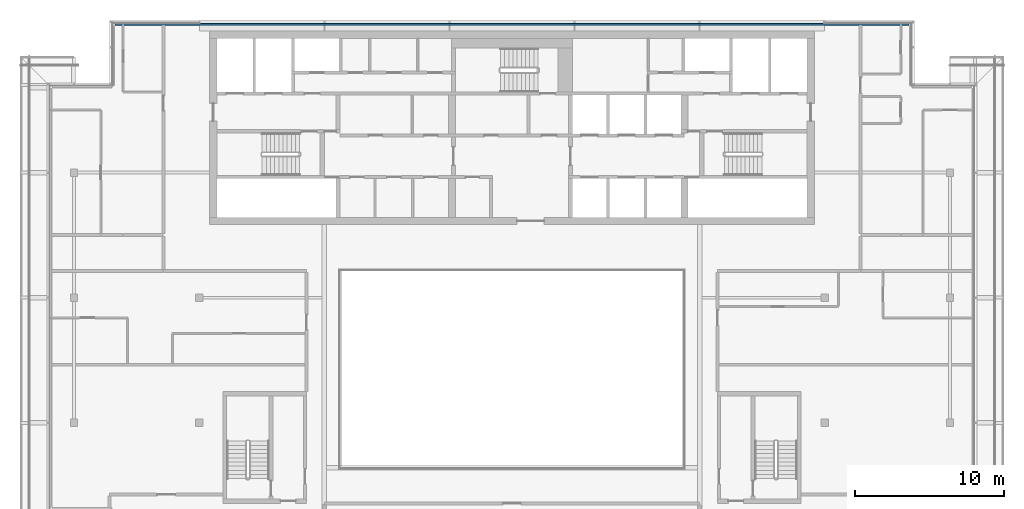
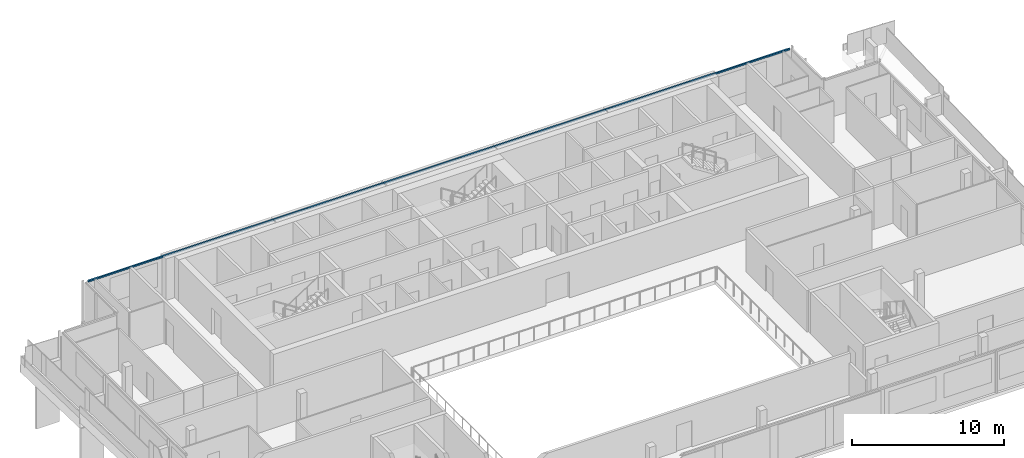
# One storey, part 7 of 19: 1 member, 1 element without a shape of its own.
"""IFC4 building model written with IfcOpenShell, lengths in metres."""

import ifcopenshell
import ifcopenshell.guid

model = None  # the IFC model being written
_history = None  # IfcOwnerHistory: only IFC2X3 demands one
_inside = {}  # id of a spatial element -> (the spatial element, [elements in it])
_under = {}  # id of a project, library or spatial element -> (it, [spatial elements below it])
_declared = {}  # id of a project -> (the project, [libraries it declares])
_typed = {}  # id of a type object -> (the type object, [elements of that type])
_made_of = {}  # id of a material, layer set ... -> (it, [elements and type objects made of it])


def new_model(schema):
    """Start an empty IFC model of exactly this schema.

    Asked for "IFC4X3", IfcOpenShell would pick the latest addendum, in which some entities
    have other attributes; the version numbers below select the first issue.
    IFC2X3 requires an IfcOwnerHistory on every rooted entity: one is made here for all.
    """
    global model, _history
    if schema == "IFC4X3":
        model = ifcopenshell.file(schema_version=(4, 3, 0, 0))
    else:
        model = ifcopenshell.file(schema=schema)
    _inside.clear()
    _under.clear()
    _declared.clear()
    _typed.clear()
    _made_of.clear()
    _history = None
    if model.schema == "IFC2X3":
        org = make("IfcOrganization", Name="unknown")
        user = make(
            "IfcPersonAndOrganization",
            ThePerson=make("IfcPerson", FamilyName="unknown"),
            TheOrganization=org,
        )
        app = make(
            "IfcApplication",
            ApplicationDeveloper=org,
            Version="unknown",
            ApplicationFullName="unknown",
            ApplicationIdentifier="unknown",
        )
        _history = make(
            "IfcOwnerHistory",
            OwningUser=user,
            OwningApplication=app,
            ChangeAction="ADDED",
            CreationDate=0,
        )
    return model


def make(cls, **values):
    """One entity of the class cls with the attributes given. An attribute that is None is left unset."""
    return model.create_entity(
        cls, **{name: value for name, value in values.items() if value is not None}
    )


def rooted(cls, **values):
    """An entity with a GlobalId (a new one), such as an element, a storey or a relation."""
    return make(cls, GlobalId=ifcopenshell.guid.new(), OwnerHistory=_history, **values)


def si_unit(unit_type, name, prefix=None):
    """IfcSIUnit, for example si_unit("LENGTHUNIT", "METRE", prefix="MILLI")."""
    return make("IfcSIUnit", UnitType=unit_type, Prefix=prefix, Name=name)


def assignment(units):
    """IfcUnitAssignment: the units of a project."""
    return None if units is None else make("IfcUnitAssignment", Units=units)


def point(xyz):
    """IfcCartesianPoint."""
    return None if xyz is None else make("IfcCartesianPoint", Coordinates=xyz)


def direction(xyz):
    """IfcDirection."""
    return None if xyz is None else make("IfcDirection", DirectionRatios=xyz)


def frame(location, z_axis=None, x_axis=None):
    """IfcAxis2Placement3D, a coordinate frame: its origin and axes. An axis left out is left unset."""
    return make(
        "IfcAxis2Placement3D",
        Location=point(location),
        Axis=direction(z_axis),
        RefDirection=direction(x_axis),
    )


def frame_2d(location, x_axis=None):
    """IfcAxis2Placement2D, a coordinate frame in the plane: its origin and x axis."""
    return make(
        "IfcAxis2Placement2D", Location=point(location), RefDirection=direction(x_axis)
    )


def origin():
    """The frame at (0, 0, 0) with its axes left unset."""
    return frame((0.0, 0.0, 0.0))


def origin_2d():
    """The frame at (0, 0) in the plane with its x axis left unset."""
    return frame_2d((0.0, 0.0))


def place(relative_to, where):
    """IfcLocalPlacement: puts the frame where relative to a parent placement (None: the world)."""
    return make(
        "IfcLocalPlacement", PlacementRelTo=relative_to, RelativePlacement=where
    )


def context(
    kind, dimensions, precision=None, world=None, true_north=None, identifier=None
):
    """IfcGeometricRepresentationContext, for example the 3D "Model" context."""
    return make(
        "IfcGeometricRepresentationContext",
        ContextIdentifier=identifier,
        ContextType=kind,
        CoordinateSpaceDimension=dimensions,
        Precision=precision,
        WorldCoordinateSystem=world,
        TrueNorth=true_north,
    )


def subcontext(parent, identifier, kind, view, scale=None):
    """IfcGeometricRepresentationSubContext, for example "Body" below "Model"."""
    return make(
        "IfcGeometricRepresentationSubContext",
        ContextIdentifier=identifier,
        ContextType=kind,
        ParentContext=parent,
        TargetScale=scale,
        TargetView=view,
    )


def project(units=None, contexts=None):
    """IfcProject with its units and contexts."""
    return rooted(
        "IfcProject",
        Name="project",
        RepresentationContexts=contexts,
        UnitsInContext=assignment(units),
    )


def spatial(cls, under=None, at=None, **own):
    """A site, building, storey or space (cls), placed at a placement, below another one or the project."""
    s = rooted(cls, ObjectPlacement=at, **own)
    if under is not None:
        _under.setdefault(under.id(), (under, []))[1].append(s)
    return s


def profile(cls, at=None, kind="AREA", **sizes):
    """A parametric profile (cls). Its sizes go by their IFC names, for example OverallWidth=200.0."""
    return make(cls, ProfileType=kind, Position=at, **sizes)


def rectangle(**sizes):
    """IfcRectangleProfileDef."""
    return profile("IfcRectangleProfileDef", **sizes)


def extrude(swept, where, along, depth):
    """IfcExtrudedAreaSolid: the profile swept, set in the frame where, extruded along a direction by depth."""
    return make(
        "IfcExtrudedAreaSolid",
        SweptArea=swept,
        Position=where,
        ExtrudedDirection=direction(along),
        Depth=depth,
    )


def shape(context_of_items, identifier, shape_type, items):
    """IfcShapeRepresentation: the items that make up one representation, for example the "Body"."""
    return make(
        "IfcShapeRepresentation",
        ContextOfItems=context_of_items,
        RepresentationIdentifier=identifier,
        RepresentationType=shape_type,
        Items=items,
    )


def material(Name=None, Category=None):
    """IfcMaterial."""
    return make("IfcMaterial", Name=Name, Category=Category)


def material_profile(
    of_material, cross_section, Name=None, Category=None, Priority=None
):
    """IfcMaterialProfile: a cross section and its material."""
    return make(
        "IfcMaterialProfile",
        Name=Name,
        Material=of_material,
        Profile=cross_section,
        Priority=Priority,
        Category=Category,
    )


def profile_set(profiles, Name=None, composite=None):
    """IfcMaterialProfileSet."""
    return make(
        "IfcMaterialProfileSet",
        Name=Name,
        MaterialProfiles=profiles,
        CompositeProfile=composite,
    )


def made_of(thing, what):
    """Note that an element or type object is made of a material, layer set ...; save() writes the relation."""
    if what is not None:
        _made_of.setdefault(what.id(), (what, []))[1].append(thing)
    return thing


def type_object(cls, material=None, **own):
    """A type object (cls), such as IfcWallType, which elements share."""
    return made_of(rooted(cls, **own), material)


def element(
    cls,
    number,
    at=None,
    inside=None,
    cuts=None,
    type_object=None,
    material=None,
    context=None,
    identifier="Body",
    shape_type=None,
    held_by="IfcProductDefinitionShape",
    body=None,
    shapes=None,
    **own,
):
    """One element of the class cls, such as IfcWall. Its Tag is "e" and its number.

    at: its placement. inside: the storey or other place that contains it. cuts: it is an
    opening in that element (IfcRelVoidsElement). A single representation is given by context,
    identifier, shape_type and body (its items); several are given by shapes. held_by: the class
    of the entity that holds the representations. save() writes the other relations.
    """
    e = rooted(cls, Tag="e%d" % number, ObjectPlacement=at, **own)
    if body is not None:
        shapes = [shape(context, identifier, shape_type, body)]
    if shapes is not None:
        e.Representation = make(held_by, Representations=shapes)
    if inside is not None:
        _inside.setdefault(inside.id(), (inside, []))[1].append(e)
    if cuts is not None:
        rooted(
            "IfcRelVoidsElement", RelatingBuildingElement=cuts, RelatedOpeningElement=e
        )
    if type_object is not None:
        _typed.setdefault(type_object.id(), (type_object, []))[1].append(e)
    return made_of(e, material)


def aggregate(whole, parts):
    """IfcRelAggregates: a whole, such as a stair, and the parts it consists of."""
    return rooted("IfcRelAggregates", RelatingObject=whole, RelatedObjects=parts)


def save(model, path):
    """Write the relations noted so far, then the file.

    IfcRelAggregates (storeys below a building ...), IfcRelContainedInSpatialStructure (elements
    in a storey), IfcRelDefinesByType, IfcRelAssociatesMaterial and IfcRelDeclares: one each for
    every whole, place, type object, material and project.
    """
    for whole, parts in _under.values():
        aggregate(whole, parts)
    for where, things in _inside.values():
        rooted(
            "IfcRelContainedInSpatialStructure",
            RelatedElements=things,
            RelatingStructure=where,
        )
    for kind, things in _typed.values():
        rooted("IfcRelDefinesByType", RelatedObjects=things, RelatingType=kind)
    for what, things in _made_of.values():
        rooted("IfcRelAssociatesMaterial", RelatedObjects=things, RelatingMaterial=what)
    for by, libraries in _declared.values():
        rooted("IfcRelDeclares", RelatingContext=by, RelatedDefinitions=libraries)
    model.write(path)


model = new_model("IFC4")

# Units and contexts
model_context = context("Model", 3, precision=1e-05, world=origin(), true_north=direction((0.0, 1.0)))
body_context = subcontext(model_context, "Body", "Model", "MODEL_VIEW")
ifc_project = project(units=[si_unit("LENGTHUNIT", "METRE"), si_unit("AREAUNIT", "SQUARE_METRE"), si_unit("VOLUMEUNIT", "CUBIC_METRE"), si_unit("PLANEANGLEUNIT", "RADIAN"), si_unit("MASSUNIT", "GRAM", prefix="KILO")], contexts=[model_context])

# Site, building, storey
site_placement = place(None, origin())
site = spatial("IfcSite", under=ifc_project, at=site_placement, CompositionType="ELEMENT")
building_placement = place(site_placement, origin())
building = spatial("IfcBuilding", under=site, at=building_placement, Name="Saffron Gate Tower", CompositionType="ELEMENT")
storey_placement = place(building_placement, frame((0.0, 0.0, 292.35009765625)))
storey = spatial("IfcBuildingStorey", under=building, at=storey_placement, Name="L71", CompositionType="ELEMENT", Elevation=292.35009765625)

# Curtain wall, member
ifc_material = material(Name="Aluminium, bronze anodised", Category="aluminium")
curtain_wall_type = type_object("IfcCurtainWallType", Name="CWS3 curtain wall rear facade", PredefinedType="NOTDEFINED", material=ifc_material)
curtain_wall_placement = place(storey_placement, origin())
curtain_wall = element("IfcCurtainWall", 1, at=curtain_wall_placement, inside=storey, type_object=curtain_wall_type, Name="CWS3 run 7", PredefinedType="NOTDEFINED")
ifc_material_profile = material_profile(ifc_material, rectangle(XDim=0.1201171875, YDim=0.1201171875, at=origin_2d()))
ifc_profile_set = profile_set([ifc_material_profile], Name="Aluminium, bronze anodised")
member_type = type_object("IfcMemberType", Name="CWS3 head transom", PredefinedType="USERDEFINED", material=ifc_profile_set)
member_placement = place(storey_placement, frame((114.23193359375, 75.35205078125, 3.260009765625), z_axis=(-1.0, 0.0, 0.0), x_axis=(0.0, -1.0, 0.0)))
member = element("IfcMember", 2, at=member_placement, type_object=member_type, Name="CWS3 head transom", ObjectType="TRANSOM", PredefinedType="USERDEFINED", context=body_context, shape_type="SweptSolid", body=[
    extrude(rectangle(XDim=0.1201171875, YDim=0.1201171875, at=origin_2d()), origin(), (0.0, 0.0, 1.0), 53.263916015625),
])
aggregate(curtain_wall, [member])

save(model, "model.ifc")
